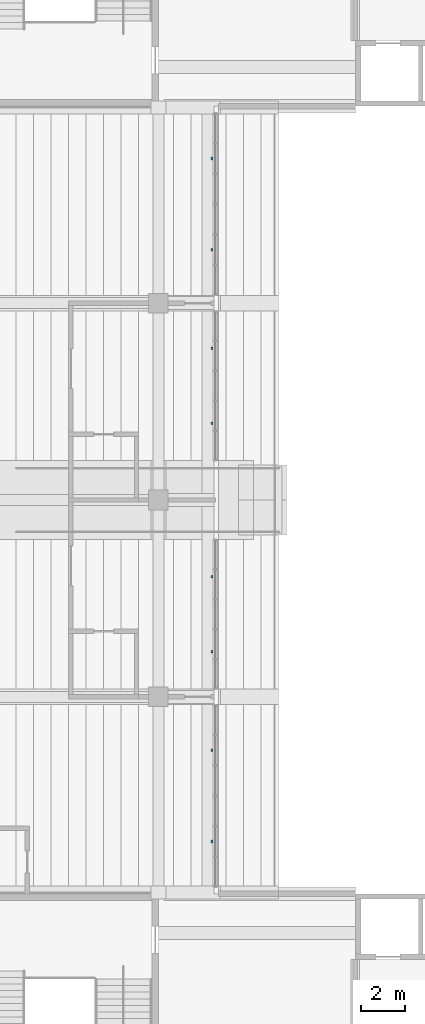
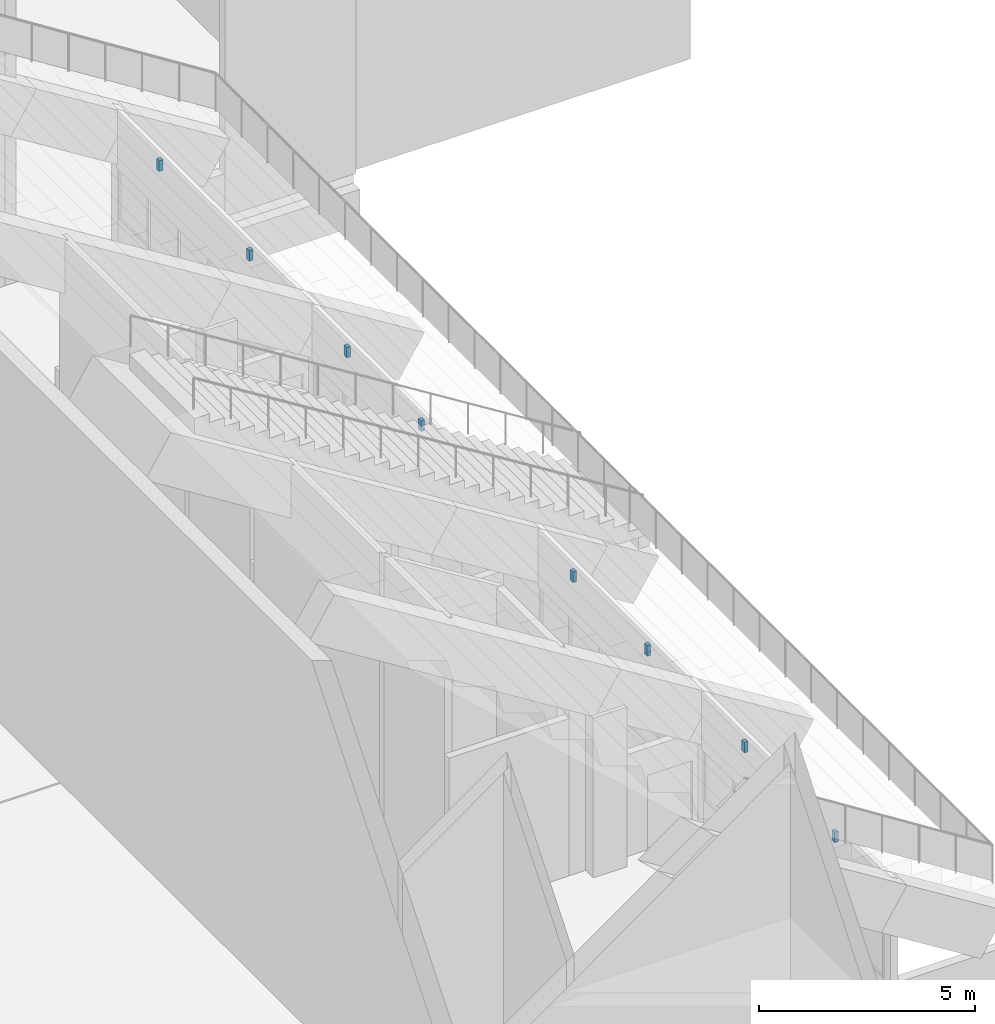
# One storey, part 115 of 182: 8 discrete accessories.
"""IFC4 building model written with IfcOpenShell, lengths in metres."""

from ifc_helpers import new_model, si_unit, direction, frame, origin, origin_2d, place, context, subcontext, project, spatial, rectangle, extrude, material, type_object, element, save


model = new_model("IFC4")

# Units and contexts
model_context = context("Model", 3, precision=1e-05, world=origin(), true_north=direction((0.0, 1.0)))
body_context = subcontext(model_context, "Body", "Model", "MODEL_VIEW")
ifc_project = project(units=[si_unit("LENGTHUNIT", "METRE"), si_unit("AREAUNIT", "SQUARE_METRE"), si_unit("VOLUMEUNIT", "CUBIC_METRE"), si_unit("PLANEANGLEUNIT", "RADIAN"), si_unit("MASSUNIT", "GRAM", prefix="KILO")], contexts=[model_context])

# Site, building, storey
site_placement = place(None, origin())
site = spatial("IfcSite", under=ifc_project, at=site_placement, CompositionType="ELEMENT")
building_placement = place(site_placement, origin())
building = spatial("IfcBuilding", under=site, at=building_placement, Name="Silverbay Arena", CompositionType="ELEMENT")
storey_placement = place(building_placement, frame((0.0, 0.0, 11.5)))
storey = spatial("IfcBuildingStorey", under=building, at=storey_placement, Name="L02", CompositionType="ELEMENT", Elevation=11.5)

# Discrete accessories
ifc_material = material(Name="Steel S355", Category="steel")
discrete_accessory_type = type_object("IfcDiscreteAccessoryType", Name="Steel bracket plate", PredefinedType="BRACKET", material=ifc_material)
for number, where, z_axis, x_axis, name in (
    (1, (83.449951171875, 65.387451171875, 3.76416015625), (0.0, 0.0, 1.0), (0.0, 1.0, 0.0), "Fascia hanger bracket"),
    (2, (83.449951171875, 69.5625, 3.76416015625), (0.0, 0.0, 1.0), (0.0, 1.0, 0.0), "Fascia hanger bracket"),
    (3, (83.449951171875, 74.0625, 3.76416015625), (0.0, 0.0, 1.0), (0.0, 1.0, 0.0), "Fascia hanger bracket"),
    (4, (83.449951171875, 77.487548828125, 3.76416015625), (0.0, 0.0, 1.0), (0.0, 1.0, 0.0), "Fascia hanger bracket"),
    (5, (83.449951171875, 84.512451171875, 3.76416015625), (0.0, 0.0, 1.0), (0.0, 1.0, 0.0), "Fascia hanger bracket"),
    (6, (83.449951171875, 87.9375, 3.76416015625), (0.0, 0.0, 1.0), (0.0, 1.0, 0.0), "Fascia hanger bracket"),
    (7, (83.449951171875, 92.4375, 3.76416015625), (0.0, 0.0, 1.0), (0.0, 1.0, 0.0), "Fascia hanger bracket"),
    (8, (83.449951171875, 96.612548828125, 3.76416015625), (0.0, 0.0, 1.0), (0.0, 1.0, 0.0), "Fascia hanger bracket"),
):
    element("IfcDiscreteAccessory", number, at=place(storey_placement, frame(where, z_axis=z_axis, x_axis=x_axis)), inside=storey, type_object=discrete_accessory_type, Name=name, PredefinedType="BRACKET", context=body_context, shape_type="SweptSolid", body=[
        extrude(rectangle(XDim=0.1201171875, YDim=0.10009765625, at=origin_2d()), origin(), (0.0, 0.0, 1.0), 0.300048828125),
    ])

save(model, "model.ifc")
